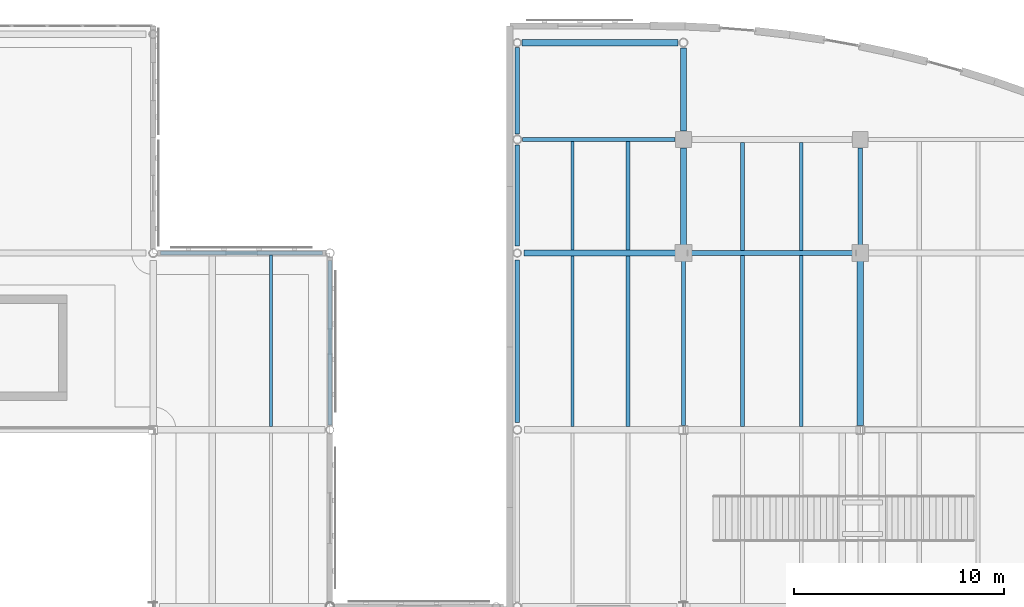
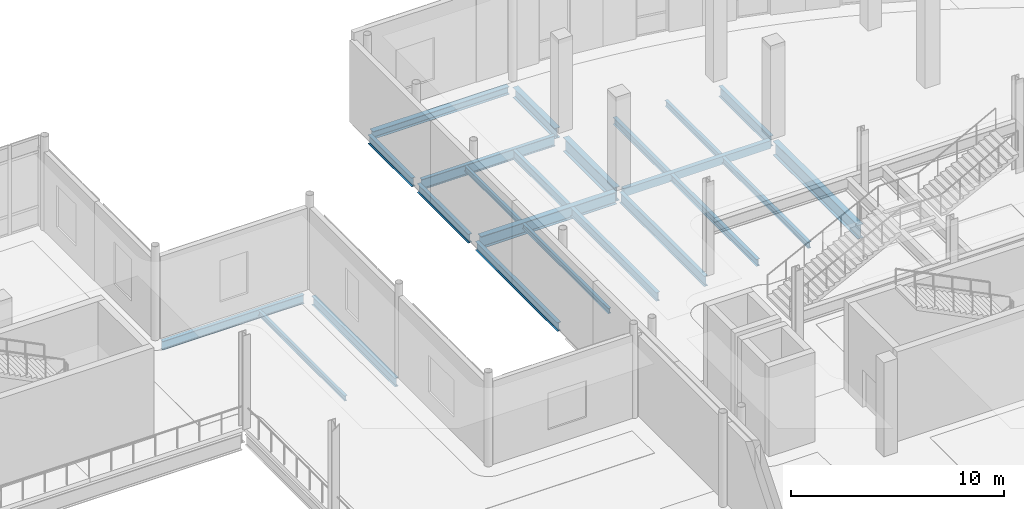
# One storey, part 33 of 110: 23 beams.
"""IFC4 building model written with IfcOpenShell, lengths in metres."""

from ifc_helpers import new_model, si_unit, direction, frame, origin, origin_2d, place, context, subcontext, project, spatial, hollow_rectangle, i_section, extrude, material, material_profile, profile_set, type_object, element, save


model = new_model("IFC4")

# Units and contexts
model_context = context("Model", 3, precision=1e-05, world=origin(), true_north=direction((0.0, 1.0)))
body_context = subcontext(model_context, "Body", "Model", "MODEL_VIEW")
ifc_project = project(units=[si_unit("LENGTHUNIT", "METRE"), si_unit("AREAUNIT", "SQUARE_METRE"), si_unit("VOLUMEUNIT", "CUBIC_METRE"), si_unit("PLANEANGLEUNIT", "RADIAN"), si_unit("MASSUNIT", "GRAM", prefix="KILO"), si_unit("THERMODYNAMICTEMPERATUREUNIT", "KELVIN")], contexts=[model_context])

# Site, building, storey
site_placement = place(None, origin())
site = spatial("IfcSite", under=ifc_project, at=site_placement, CompositionType="ELEMENT")
building_placement = place(site_placement, origin())
building = spatial("IfcBuilding", under=site, at=building_placement, Name="Lustrewick Department Store", CompositionType="ELEMENT")
storey_placement = place(building_placement, frame((0.0, 0.0, 6.0)))
storey = spatial("IfcBuildingStorey", under=building, at=storey_placement, Name="L02", CompositionType="ELEMENT", Elevation=6.0)

# Beams
ifc_material_1 = material(Name="Structural steel Q355B", Category="steel")
ifc_material_profile_1 = material_profile(ifc_material_1, i_section(OverallWidth=0.198974609375, OverallDepth=0.49609375, WebThickness=0.009033203125, FlangeThickness=0.013916015625, FilletRadius=0.01611328125, at=origin_2d()), Name="HN 496x199x9x14")
ifc_profile_set_1 = profile_set([ifc_material_profile_1], Name="Structural steel Q355B")
beam_type_1 = type_object("IfcBeamType", Name="B02", PredefinedType="JOIST", material=ifc_profile_set_1)
beam_1_placement = place(storey_placement, frame((114.966796875, 92.550048828125, -0.5029296875), z_axis=(0.0, 1.0, 0.0), x_axis=(-1.0, 0.0, 0.0)))
element("IfcBeam", 1, at=beam_1_placement, inside=storey, type_object=beam_type_1, Name="L02 V4 Secondary Joist B02", PredefinedType="JOIST", context=body_context, shape_type="SweptSolid", body=[
    extrude(i_section(OverallWidth=0.198974609375, OverallDepth=0.49609375, WebThickness=0.009033203125, FlangeThickness=0.013916015625, FilletRadius=0.01611328125, at=origin_2d()), origin(), (0.0, 0.0, 1.0), 8.099853515625),
])
beam_2_placement = place(storey_placement, frame((114.966796875, 100.949951171875, -0.5029296875), z_axis=(0.0, 1.0, 0.0), x_axis=(-1.0, 0.0, 0.0)))
element("IfcBeam", 2, at=beam_2_placement, inside=storey, type_object=beam_type_1, Name="L02 V4 Secondary Joist B02", PredefinedType="JOIST", context=body_context, shape_type="SweptSolid", body=[
    extrude(i_section(OverallWidth=0.198974609375, OverallDepth=0.49609375, WebThickness=0.009033203125, FlangeThickness=0.013916015625, FilletRadius=0.01611328125, at=origin_2d()), origin(), (0.0, 0.0, 1.0), 5.150146484375),
])
ifc_material_profile_2 = material_profile(ifc_material_1, i_section(OverallWidth=0.198974609375, OverallDepth=0.39599609375, WebThickness=0.007080078125, FlangeThickness=0.010986328125, FilletRadius=0.013916015625, at=origin_2d()), Name="HN 396x199x7x11")
ifc_profile_set_2 = profile_set([ifc_material_profile_2], Name="Structural steel Q355B")
beam_type_2 = type_object("IfcBeamType", Name="B06", PredefinedType="JOIST", material=ifc_profile_set_2)
beam_3_placement = place(storey_placement, frame((120.39990234375, 92.550048828125, -0.452880859375), z_axis=(0.0, 1.0, 0.0), x_axis=(-1.0, 0.0, 0.0)))
element("IfcBeam", 3, at=beam_3_placement, inside=storey, type_object=beam_type_2, Name="L02 V4 Secondary Joist B06", PredefinedType="JOIST", context=body_context, shape_type="SweptSolid", body=[
    extrude(i_section(OverallWidth=0.198974609375, OverallDepth=0.39599609375, WebThickness=0.007080078125, FlangeThickness=0.010986328125, FilletRadius=0.013916015625, at=origin_2d()), origin(), (0.0, 0.0, 1.0), 8.125),
])
beam_4_placement = place(storey_placement, frame((120.39990234375, 100.925048828125, -0.452880859375), z_axis=(0.0, 1.0, 0.0), x_axis=(-1.0, 0.0, 0.0)))
element("IfcBeam", 4, at=beam_4_placement, inside=storey, type_object=beam_type_2, Name="L02 V4 Secondary Joist B06", PredefinedType="JOIST", context=body_context, shape_type="SweptSolid", body=[
    extrude(i_section(OverallWidth=0.198974609375, OverallDepth=0.39599609375, WebThickness=0.007080078125, FlangeThickness=0.010986328125, FilletRadius=0.013916015625, at=origin_2d()), origin(), (0.0, 0.0, 1.0), 5.125),
])
ifc_material_profile_3 = material_profile(ifc_material_1, i_section(OverallWidth=0.174072265625, OverallDepth=0.345947265625, WebThickness=0.006103515625, FlangeThickness=0.009033203125, FilletRadius=0.012939453125, at=origin_2d()), Name="HN 346x174x6x9")
ifc_profile_set_3 = profile_set([ifc_material_profile_3], Name="Structural steel Q355B")
beam_type_3 = type_object("IfcBeamType", Name="B10", PredefinedType="JOIST", material=ifc_profile_set_3)
beam_5_placement = place(storey_placement, frame((123.199951171875, 92.550048828125, -0.427978515625), z_axis=(0.0, 1.0, 0.0), x_axis=(-1.0, 0.0, 0.0)))
element("IfcBeam", 5, at=beam_5_placement, inside=storey, type_object=beam_type_3, Name="L02 V4 Secondary Joist B10", PredefinedType="JOIST", context=body_context, shape_type="SweptSolid", body=[
    extrude(i_section(OverallWidth=0.174072265625, OverallDepth=0.345947265625, WebThickness=0.006103515625, FlangeThickness=0.009033203125, FilletRadius=0.012939453125, at=origin_2d()), origin(), (0.0, 0.0, 1.0), 8.125),
])
beam_6_placement = place(storey_placement, frame((123.199951171875, 100.925048828125, -0.427978515625), z_axis=(0.0, 1.0, 0.0), x_axis=(-1.0, 0.0, 0.0)))
element("IfcBeam", 6, at=beam_6_placement, inside=storey, type_object=beam_type_3, Name="L02 V4 Secondary Joist B10", PredefinedType="JOIST", context=body_context, shape_type="SweptSolid", body=[
    extrude(i_section(OverallWidth=0.174072265625, OverallDepth=0.345947265625, WebThickness=0.006103515625, FlangeThickness=0.009033203125, FilletRadius=0.012939453125, at=origin_2d()), origin(), (0.0, 0.0, 1.0), 5.125),
])
ifc_material_profile_4 = material_profile(ifc_material_1, i_section(OverallWidth=0.14990234375, OverallDepth=0.300048828125, WebThickness=0.006591796875, FlangeThickness=0.009033203125, FilletRadius=0.011962890625, at=origin_2d()), Name="HN 300x150x6.5x9")
ifc_profile_set_4 = profile_set([ifc_material_profile_4], Name="Structural steel Q355B")
beam_type_4 = type_object("IfcBeamType", Name="B11", PredefinedType="JOIST", material=ifc_profile_set_4)
beam_7_placement = place(storey_placement, frame((98.0, 92.550048828125, -0.405029296875), z_axis=(0.0, 1.0, 0.0), x_axis=(-1.0, 0.0, 0.0)))
element("IfcBeam", 7, at=beam_7_placement, inside=storey, type_object=beam_type_4, Name="L02 V2 Secondary Joist B11", PredefinedType="JOIST", context=body_context, shape_type="SweptSolid", body=[
    extrude(i_section(OverallWidth=0.14990234375, OverallDepth=0.300048828125, WebThickness=0.006591796875, FlangeThickness=0.009033203125, FilletRadius=0.011962890625, at=origin_2d()), origin(), (0.0, 0.0, 1.0), 8.1494140625),
])
beam_8_placement = place(storey_placement, frame((112.333251953125, 92.550048828125, -0.405029296875), z_axis=(0.0, 1.0, 0.0), x_axis=(-1.0, 0.0, 0.0)))
element("IfcBeam", 8, at=beam_8_placement, inside=storey, type_object=beam_type_4, Name="L02 V4 Secondary Joist B11", PredefinedType="JOIST", context=body_context, shape_type="SweptSolid", body=[
    extrude(i_section(OverallWidth=0.14990234375, OverallDepth=0.300048828125, WebThickness=0.006591796875, FlangeThickness=0.009033203125, FilletRadius=0.011962890625, at=origin_2d()), origin(), (0.0, 0.0, 1.0), 8.099853515625),
])
beam_9_placement = place(storey_placement, frame((112.333251953125, 100.949951171875, -0.405029296875), z_axis=(0.0, 1.0, 0.0), x_axis=(-1.0, 0.0, 0.0)))
element("IfcBeam", 9, at=beam_9_placement, inside=storey, type_object=beam_type_4, Name="L02 V4 Secondary Joist B11", PredefinedType="JOIST", context=body_context, shape_type="SweptSolid", body=[
    extrude(i_section(OverallWidth=0.14990234375, OverallDepth=0.300048828125, WebThickness=0.006591796875, FlangeThickness=0.009033203125, FilletRadius=0.011962890625, at=origin_2d()), origin(), (0.0, 0.0, 1.0), 5.150146484375),
])
ifc_material_2 = material(Name="Structural steel Q355C", Category="steel")
ifc_material_profile_5 = material_profile(ifc_material_2, i_section(OverallWidth=0.302001953125, OverallDepth=0.80810546875, WebThickness=0.01611328125, FlangeThickness=0.030029296875, FilletRadius=0.02197265625, at=origin_2d()), Name="HN 808x302x16x30")
ifc_profile_set_5 = profile_set([ifc_material_profile_5], Name="Structural steel Q355C")
beam_type_5 = type_object("IfcBeamType", Name="G04", PredefinedType="BEAM", material=ifc_profile_set_5)
beam_10_placement = place(storey_placement, frame((117.60009765625, 101.0, -0.658935546875), z_axis=(0.0, 1.0, 0.0), x_axis=(-1.0, 0.0, 0.0)))
element("IfcBeam", 10, at=beam_10_placement, inside=storey, type_object=beam_type_5, Name="L02 V4 Girder G04", PredefinedType="BEAM", context=body_context, shape_type="SweptSolid", body=[
    extrude(i_section(OverallWidth=0.302001953125, OverallDepth=0.80810546875, WebThickness=0.01611328125, FlangeThickness=0.030029296875, FilletRadius=0.02197265625, at=origin_2d()), origin(), (0.0, 0.0, 1.0), 4.800048828125),
])
beam_11_placement = place(storey_placement, frame((126.0, 92.60693359375, -0.658935546875), z_axis=(0.0, 1.0, 0.0), x_axis=(-1.0, 0.0, 0.0)))
element("IfcBeam", 11, at=beam_11_placement, inside=storey, type_object=beam_type_5, Name="L02 V4 Girder G04", PredefinedType="BEAM", context=body_context, shape_type="SweptSolid", body=[
    extrude(i_section(OverallWidth=0.302001953125, OverallDepth=0.80810546875, WebThickness=0.01611328125, FlangeThickness=0.030029296875, FilletRadius=0.02197265625, at=origin_2d()), origin(), (0.0, 0.0, 1.0), 7.9931640625),
])
ifc_material_profile_6 = material_profile(ifc_material_1, i_section(OverallWidth=0.300048828125, OverallDepth=0.699951171875, WebThickness=0.012939453125, FlangeThickness=0.02392578125, FilletRadius=0.02001953125, at=origin_2d()), Name="HN 700x300x13x24")
ifc_profile_set_6 = profile_set([ifc_material_profile_6], Name="Structural steel Q355B")
beam_type_6 = type_object("IfcBeamType", Name="G08", PredefinedType="BEAM", material=ifc_profile_set_6)
beam_12_placement = place(storey_placement, frame((110.02490234375, 100.800048828125, -0.60498046875), z_axis=(1.0, 0.0, 0.0), x_axis=(0.0, 1.0, 0.0)))
element("IfcBeam", 12, at=beam_12_placement, inside=storey, type_object=beam_type_6, Name="L02 V4 Girder G08", PredefinedType="BEAM", context=body_context, shape_type="SweptSolid", body=[
    extrude(i_section(OverallWidth=0.300048828125, OverallDepth=0.699951171875, WebThickness=0.012939453125, FlangeThickness=0.02392578125, FilletRadius=0.02001953125, at=origin_2d()), origin(), (0.0, 0.0, 1.0), 7.375),
])
ifc_material_profile_7 = material_profile(ifc_material_1, i_section(OverallWidth=0.302001953125, OverallDepth=0.593994140625, WebThickness=0.013916015625, FlangeThickness=0.02294921875, FilletRadius=0.02392578125, at=origin_2d()), Name="HM 594x302x14x23")
ifc_profile_set_7 = profile_set([ifc_material_profile_7], Name="Structural steel Q355B")
beam_type_7 = type_object("IfcBeamType", Name="G10", PredefinedType="BEAM", material=ifc_profile_set_7)
beam_13_placement = place(storey_placement, frame((117.60009765625, 106.60009765625, -0.552001953125), z_axis=(0.0, 1.0, 0.0), x_axis=(-1.0, 0.0, 0.0)))
element("IfcBeam", 13, at=beam_13_placement, inside=storey, type_object=beam_type_7, Name="L02 V4 Girder G10", PredefinedType="BEAM", context=body_context, shape_type="SweptSolid", body=[
    extrude(i_section(OverallWidth=0.302001953125, OverallDepth=0.593994140625, WebThickness=0.013916015625, FlangeThickness=0.02294921875, FilletRadius=0.02392578125, at=origin_2d()), origin(), (0.0, 0.0, 1.0), 3.94580078125),
])
ifc_material_profile_8 = material_profile(ifc_material_1, i_section(OverallWidth=0.200927734375, OverallDepth=0.60595703125, WebThickness=0.011962890625, FlangeThickness=0.02001953125, FilletRadius=0.01806640625, at=origin_2d()), Name="HN 606x201x12x20")
ifc_profile_set_8 = profile_set([ifc_material_profile_8], Name="Structural steel Q355B")
beam_type_8 = type_object("IfcBeamType", Name="G13", PredefinedType="BEAM", material=ifc_profile_set_8)
beam_14_placement = place(storey_placement, frame((117.60009765625, 92.60693359375, -0.55810546875), z_axis=(0.0, 1.0, 0.0), x_axis=(-1.0, 0.0, 0.0)))
element("IfcBeam", 14, at=beam_14_placement, inside=storey, type_object=beam_type_8, Name="L02 V4 Girder G13", PredefinedType="BEAM", context=body_context, shape_type="SweptSolid", body=[
    extrude(i_section(OverallWidth=0.200927734375, OverallDepth=0.60595703125, WebThickness=0.011962890625, FlangeThickness=0.02001953125, FilletRadius=0.01806640625, at=origin_2d()), origin(), (0.0, 0.0, 1.0), 7.9931640625),
])
beam_15_placement = place(storey_placement, frame((126.0, 101.0, -0.55810546875), z_axis=(0.0, 1.0, 0.0), x_axis=(-1.0, 0.0, 0.0)))
element("IfcBeam", 15, at=beam_15_placement, inside=storey, type_object=beam_type_8, Name="L02 V4 Girder G13", PredefinedType="BEAM", context=body_context, shape_type="SweptSolid", body=[
    extrude(i_section(OverallWidth=0.200927734375, OverallDepth=0.60595703125, WebThickness=0.011962890625, FlangeThickness=0.02001953125, FilletRadius=0.01806640625, at=origin_2d()), origin(), (0.0, 0.0, 1.0), 4.800048828125),
])
ifc_material_profile_9 = material_profile(ifc_material_1, i_section(OverallWidth=0.199951171875, OverallDepth=0.60009765625, WebThickness=0.010986328125, FlangeThickness=0.01708984375, FilletRadius=0.01806640625, at=origin_2d()), Name="HN 600x200x11x17")
ifc_profile_set_9 = profile_set([ifc_material_profile_9], Name="Structural steel Q355B")
beam_type_9 = type_object("IfcBeamType", Name="G14", PredefinedType="BEAM", material=ifc_profile_set_9)
beam_16_placement = place(storey_placement, frame((109.9541015625, 106.199951171875, -0.554931640625), z_axis=(1.0, 0.0, 0.0), x_axis=(0.0, 1.0, 0.0)))
element("IfcBeam", 16, at=beam_16_placement, inside=storey, type_object=beam_type_9, Name="L02 V4 Girder G14", PredefinedType="BEAM", context=body_context, shape_type="SweptSolid", body=[
    extrude(i_section(OverallWidth=0.199951171875, OverallDepth=0.60009765625, WebThickness=0.010986328125, FlangeThickness=0.01708984375, FilletRadius=0.01806640625, at=origin_2d()), origin(), (0.0, 0.0, 1.0), 7.245849609375),
])
ifc_material_profile_10 = material_profile(ifc_material_2, hollow_rectangle(XDim=0.25, YDim=0.449951171875, WallThickness=0.013916015625, at=origin_2d()), Name="RHS 450x250x14")
ifc_profile_set_10 = profile_set([ifc_material_profile_10], Name="Structural steel Q355C")
beam_type_10 = type_object("IfcBeamType", Name="G18", PredefinedType="BEAM", material=ifc_profile_set_10)
beam_17_placement = place(storey_placement, frame((117.800048828125, 100.800048828125, -0.47998046875), z_axis=(1.0, 0.0, 0.0), x_axis=(0.0, 1.0, 0.0)))
element("IfcBeam", 17, at=beam_17_placement, inside=storey, type_object=beam_type_10, Name="L02 V4 Girder G18", PredefinedType="BEAM", context=body_context, shape_type="SweptSolid", body=[
    extrude(hollow_rectangle(XDim=0.25, YDim=0.449951171875, WallThickness=0.013916015625, at=origin_2d()), origin(), (0.0, 0.0, 1.0), 8.0),
])
ifc_material_profile_11 = material_profile(ifc_material_1, i_section(OverallWidth=0.200927734375, OverallDepth=0.506103515625, WebThickness=0.010986328125, FlangeThickness=0.01904296875, FilletRadius=0.01611328125, at=origin_2d()), Name="HN 506x201x11x19")
ifc_profile_set_11 = profile_set([ifc_material_profile_11], Name="Structural steel Q355B")
beam_type_11 = type_object("IfcBeamType", Name="SP01", PredefinedType="SPANDREL", material=ifc_profile_set_11)
beam_18_placement = place(storey_placement, frame((92.75, 100.800048828125, -0.508056640625), z_axis=(1.0, 0.0, 0.0), x_axis=(0.0, 1.0, 0.0)))
element("IfcBeam", 18, at=beam_18_placement, inside=storey, type_object=beam_type_11, Name="L02 V2 Girder SP01", PredefinedType="SPANDREL", context=body_context, shape_type="SweptSolid", body=[
    extrude(i_section(OverallWidth=0.200927734375, OverallDepth=0.506103515625, WebThickness=0.010986328125, FlangeThickness=0.01904296875, FilletRadius=0.01611328125, at=origin_2d()), origin(), (0.0, 0.0, 1.0), 7.699951171875),
])
beam_19_placement = place(storey_placement, frame((100.800048828125, 92.62841796875, -0.508056640625), z_axis=(0.0, 1.0, 0.0), x_axis=(-1.0, 0.0, 0.0)))
element("IfcBeam", 19, at=beam_19_placement, inside=storey, type_object=beam_type_11, Name="L02 V2 Girder SP01", PredefinedType="SPANDREL", context=body_context, shape_type="SweptSolid", body=[
    extrude(i_section(OverallWidth=0.200927734375, OverallDepth=0.506103515625, WebThickness=0.010986328125, FlangeThickness=0.01904296875, FilletRadius=0.01611328125, at=origin_2d()), origin(), (0.0, 0.0, 1.0), 7.821533203125),
])
beam_20_placement = place(storey_placement, frame((109.699951171875, 92.75, -0.508056640625), z_axis=(0.0, 1.0, 0.0), x_axis=(-1.0, 0.0, 0.0)))
element("IfcBeam", 20, at=beam_20_placement, inside=storey, type_object=beam_type_11, Name="L02 V4 Girder SP01", PredefinedType="SPANDREL", context=body_context, shape_type="SweptSolid", body=[
    extrude(i_section(OverallWidth=0.200927734375, OverallDepth=0.506103515625, WebThickness=0.010986328125, FlangeThickness=0.01904296875, FilletRadius=0.01611328125, at=origin_2d()), origin(), (0.0, 0.0, 1.0), 7.72509765625),
])
beam_21_placement = place(storey_placement, frame((109.699951171875, 101.125, -0.508056640625), z_axis=(0.0, 1.0, 0.0), x_axis=(-1.0, 0.0, 0.0)))
element("IfcBeam", 21, at=beam_21_placement, inside=storey, type_object=beam_type_11, Name="L02 V4 Girder SP01", PredefinedType="SPANDREL", context=body_context, shape_type="SweptSolid", body=[
    extrude(i_section(OverallWidth=0.200927734375, OverallDepth=0.506103515625, WebThickness=0.010986328125, FlangeThickness=0.01904296875, FilletRadius=0.01611328125, at=origin_2d()), origin(), (0.0, 0.0, 1.0), 4.821044921875),
])
beam_22_placement = place(storey_placement, frame((109.699951171875, 106.4541015625, -0.508056640625), z_axis=(0.0, 1.0, 0.0), x_axis=(-1.0, 0.0, 0.0)))
element("IfcBeam", 22, at=beam_22_placement, inside=storey, type_object=beam_type_11, Name="L02 V4 Girder SP01", PredefinedType="SPANDREL", context=body_context, shape_type="SweptSolid", body=[
    extrude(i_section(OverallWidth=0.200927734375, OverallDepth=0.506103515625, WebThickness=0.010986328125, FlangeThickness=0.01904296875, FilletRadius=0.01611328125, at=origin_2d()), origin(), (0.0, 0.0, 1.0), 4.117431640625),
])
ifc_material_profile_12 = material_profile(ifc_material_1, i_section(OverallWidth=0.300048828125, OverallDepth=0.43994140625, WebThickness=0.010986328125, FlangeThickness=0.01806640625, FilletRadius=0.02001953125, at=origin_2d()), Name="HM 440x300x11x18")
ifc_profile_set_12 = profile_set([ifc_material_profile_12], Name="Structural steel Q355B")
beam_type_12 = type_object("IfcBeamType", Name="SP02", PredefinedType="SPANDREL", material=ifc_profile_set_12)
beam_23_placement = place(storey_placement, frame((109.928466796875, 110.800048828125, -0.47509765625), z_axis=(1.0, 0.0, 0.0), x_axis=(0.0, 1.0, 0.0)))
element("IfcBeam", 23, at=beam_23_placement, inside=storey, type_object=beam_type_12, Name="L02 V4 Girder SP02", PredefinedType="SPANDREL", context=body_context, shape_type="SweptSolid", body=[
    extrude(i_section(OverallWidth=0.300048828125, OverallDepth=0.43994140625, WebThickness=0.010986328125, FlangeThickness=0.01806640625, FilletRadius=0.02001953125, at=origin_2d()), origin(), (0.0, 0.0, 1.0), 7.41748046875),
])

save(model, "model.ifc")
